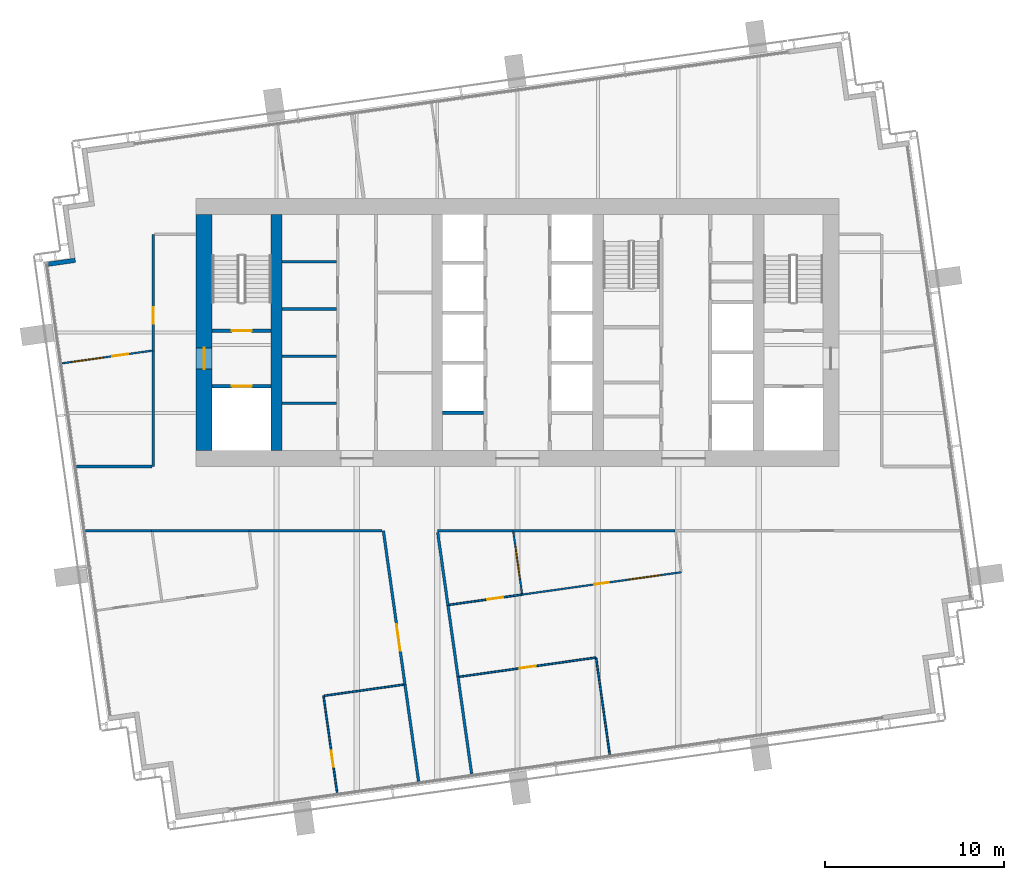
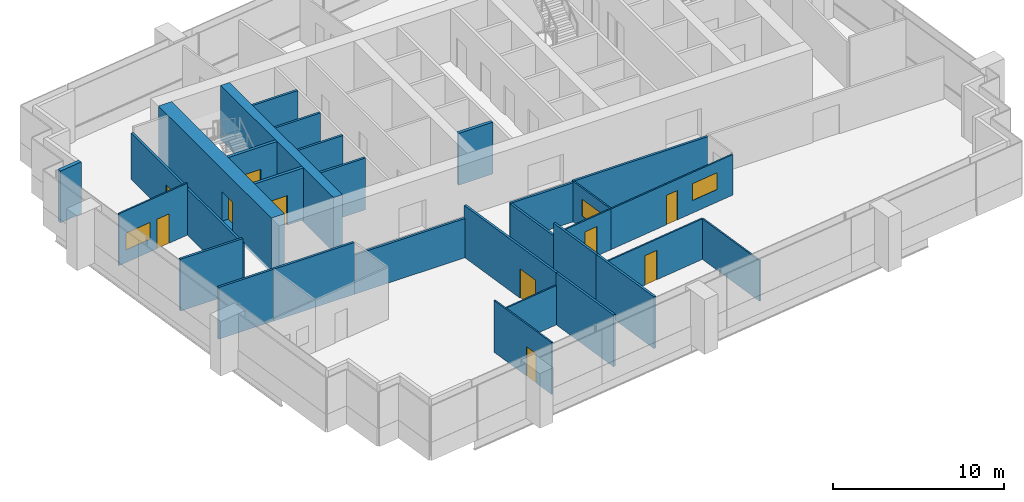
# One storey, part 8 of 15: 31 walls, 10 doors, 3 windows, 13 openings.
"""IFC4 building model written with IfcOpenShell, lengths in metres."""

from ifc_helpers import new_model, si_unit, direction, frame, frame_2d, origin, place, context, subcontext, project, spatial, rectangle, extrude, material, layer, layer_set, type_object, element, fill, save


model = new_model("IFC4")

# Units and contexts
model_context = context("Model", 3, precision=1e-05, world=origin(), true_north=direction((0.0, 1.0)))
body_context = subcontext(model_context, "Body", "Model", "MODEL_VIEW")
ifc_project = project(units=[si_unit("LENGTHUNIT", "METRE"), si_unit("AREAUNIT", "SQUARE_METRE"), si_unit("VOLUMEUNIT", "CUBIC_METRE"), si_unit("PLANEANGLEUNIT", "RADIAN"), si_unit("MASSUNIT", "GRAM", prefix="KILO")], contexts=[model_context])

# Site, building, storey
site_placement = place(None, origin())
site = spatial("IfcSite", under=ifc_project, at=site_placement, CompositionType="ELEMENT")
building_placement = place(site_placement, origin())
building = spatial("IfcBuilding", under=site, at=building_placement, Name="Rattan Terrace Tower", CompositionType="ELEMENT")
storey_placement = place(building_placement, frame((0.0, 0.0, 262.89990234375)))
storey = spatial("IfcBuildingStorey", under=building, at=storey_placement, Name="L60", CompositionType="ELEMENT", Elevation=262.89990234375)

# Walls
ifc_material_1 = material(Name="Gypsum board partition")
ifc_layer_1 = layer(ifc_material_1, 0.14990234375)
ifc_layer_set_1 = layer_set([ifc_layer_1], Name="Core partition 150")
wall_type_1 = type_object("IfcWallType", Name="Core partition 150", PredefinedType="PARTITIONING", material=ifc_layer_set_1)
for number, where, z_axis, x_axis, name in (
    (1, (-13.199951171875, -3.9599609375, 0.0), (0.0, 0.0, 1.0), (1.0, 0.0, 0.0), "Core room wall"),
    (2, (-13.199951171875, -1.320068359375, 0.0), (0.0, 0.0, 1.0), (1.0, 0.0, 0.0), "Core room wall"),
    (3, (-13.199951171875, 1.320068359375, 0.0), (0.0, 0.0, 1.0), (1.0, 0.0, 0.0), "Core room wall"),
    (4, (-13.199951171875, 3.9599609375, 0.0), (0.0, 0.0, 1.0), (1.0, 0.0, 0.0), "Core room wall"),
):
    element("IfcWall", number, at=place(storey_placement, frame(where, z_axis=z_axis, x_axis=x_axis)), inside=storey, type_object=wall_type_1, Name=name, PredefinedType="PARTITIONING", context=body_context, shape_type="SweptSolid", body=[
        extrude(rectangle(XDim=3.050048828125, YDim=0.14990234375, at=frame_2d((1.52490234375, 0.0))), origin(), (0.0, 0.0, 1.0), 3.7001953125),
    ])

# Wall, opening, door
ifc_material_2 = material(Name="Gypsum board partition")
ifc_layer_2 = layer(ifc_material_2, 0.199951171875)
ifc_layer_set_2 = layer_set([ifc_layer_2], Name="Core partition 200")
wall_type_2 = type_object("IfcWallType", Name="Core partition 200", PredefinedType="PARTITIONING", material=ifc_layer_set_2)
wall_1_placement = place(storey_placement, frame((-17.10009765625, -3.0, 0.0), z_axis=(0.0, 0.0, 1.0), x_axis=(1.0, 0.0, 0.0)))
wall_1 = element("IfcWall", 5, at=wall_1_placement, inside=storey, type_object=wall_type_2, Name="Fire-fighting lobby wall", PredefinedType="PARTITIONING", context=body_context, shape_type="SweptSolid", body=[
    extrude(rectangle(XDim=3.300048828125, YDim=0.199951171875, at=frame_2d((1.64990234375, 0.0))), origin(), (0.0, 0.0, 1.0), 3.7001953125),
])
opening_1_placement = place(wall_1_placement, frame((1.10009765625, 0.0, 0.0)))
opening_1 = element("IfcOpeningElement", 6, at=opening_1_placement, cuts=wall_1, Name="Opening L60-LD-FF1", PredefinedType="OPENING", context=body_context, shape_type="SweptSolid", body=[
    extrude(rectangle(XDim=1.10009765625, YDim=2.10009765625, at=frame_2d((0.550048828125, 1.050048828125))), frame((0.0, 0.110595703125, 0.0), z_axis=(0.0, -1.0, 0.0), x_axis=(1.0, 0.0, 0.0)), (0.0, 0.0, 1.0), 0.220947265625),
])
ifc_material_3 = material(Name="Brushed stainless landing door panel")
door_type_1 = type_object("IfcDoorType", Name="Core lift landing door 1100", OperationType="DOUBLE_DOOR_SLIDING", PredefinedType="DOOR", material=ifc_material_3)
door_1_placement = place(opening_1_placement, origin())
door_1 = element("IfcDoor", 7, at=door_1_placement, inside=storey, type_object=door_type_1, Name="Door L60-LD-FF1", OperationType="DOUBLE_DOOR_SLIDING", OverallHeight=2.10009765625, OverallWidth=1.10009765625, PredefinedType="DOOR", context=body_context, shape_type="SweptSolid", body=[
    extrude(rectangle(XDim=1.10009765625, YDim=2.10009765625, at=frame_2d((0.550048828125, 1.050048828125))), frame((0.0, 0.02490234375, 0.0), z_axis=(0.0, -1.0, 0.0), x_axis=(1.0, 0.0, 0.0)), (0.0, 0.0, 1.0), 0.050048828125),
])
fill(opening_1, door_1)

wall_2_placement = place(storey_placement, frame((-17.10009765625, 0.10009765625, 0.0), z_axis=(0.0, 0.0, 1.0), x_axis=(1.0, 0.0, 0.0)))
wall_2 = element("IfcWall", 8, at=wall_2_placement, inside=storey, type_object=wall_type_2, Name="Stair enclosure wall", PredefinedType="PARTITIONING", context=body_context, shape_type="SweptSolid", body=[
    extrude(rectangle(XDim=3.300048828125, YDim=0.199951171875, at=frame_2d((1.64990234375, 0.0))), origin(), (0.0, 0.0, 1.0), 3.7001953125),
])
opening_2_placement = place(wall_2_placement, frame((1.10009765625, 0.0, 0.0)))
opening_2 = element("IfcOpeningElement", 9, at=opening_2_placement, cuts=wall_2, Name="Opening L60-D002", PredefinedType="OPENING", context=body_context, shape_type="SweptSolid", body=[
    extrude(rectangle(XDim=1.10009765625, YDim=2.10009765625, at=frame_2d((0.550048828125, 1.050048828125))), frame((0.0, 0.110595703125, 0.0), z_axis=(0.0, -1.0, 0.0), x_axis=(1.0, 0.0, 0.0)), (0.0, 0.0, 1.0), 0.220947265625),
])
ifc_material_4 = material(Name="Hollow-metal fire door leaf")
door_type_2 = type_object("IfcDoorType", Name="Core stair door 1100", OperationType="NOTDEFINED", PredefinedType="DOOR", material=ifc_material_4)
door_2_placement = place(opening_2_placement, origin())
door_2 = element("IfcDoor", 10, at=door_2_placement, inside=storey, type_object=door_type_2, Name="Door L60-D002", OperationType="SINGLE_SWING_RIGHT", OverallHeight=2.10009765625, OverallWidth=1.10009765625, PredefinedType="DOOR", context=body_context, shape_type="SweptSolid", body=[
    extrude(rectangle(XDim=1.10009765625, YDim=2.10009765625, at=frame_2d((0.550048828125, 1.050048828125))), frame((0.0, 0.02490234375, 0.0), z_axis=(0.0, -1.0, 0.0), x_axis=(1.0, 0.0, 0.0)), (0.0, 0.0, 1.0), 0.050048828125),
])
fill(opening_2, door_2)

ifc_material_5 = material(Name="Concrete C50/60", Category="concrete")
ifc_layer_3 = layer(ifc_material_5, 0.89990234375)
ifc_layer_set_3 = layer_set([ifc_layer_3], Name="Core ring wall 900 C50/60")
wall_type_3 = type_object("IfcWallType", Name="Core ring wall 900 C50/60", PredefinedType="SHEAR", material=ifc_layer_set_3)
wall_3_placement = place(storey_placement, frame((-17.550048828125, -6.60009765625, -0.199951171875), z_axis=(0.0, 0.0, 1.0), x_axis=(0.0, 1.0, 0.0)))
wall_3 = element("IfcWall", 11, at=wall_3_placement, inside=storey, type_object=wall_type_3, Name="Rear core wall west", PredefinedType="SHEAR", context=body_context, shape_type="SweptSolid", body=[
    extrude(rectangle(XDim=13.2001953125, YDim=0.89990234375, at=frame_2d((6.60009765625, 0.0))), origin(), (0.0, 0.0, 1.0), 3.900146484375),
])
opening_3_placement = place(wall_3_placement, frame((4.550048828125, 0.0, 0.199951171875)))
opening_3 = element("IfcOpeningElement", 12, at=opening_3_placement, cuts=wall_3, Name="Opening L60-D001", PredefinedType="OPENING", context=body_context, shape_type="SweptSolid", body=[
    extrude(rectangle(XDim=1.199951171875, YDim=2.10009765625, at=frame_2d((0.60009765625, 1.050048828125))), frame((0.0, 0.46044921875, 0.0), z_axis=(0.0, -1.0, 0.0), x_axis=(1.0, 0.0, 0.0)), (0.0, 0.0, 1.0), 0.9208984375),
])
ifc_material_6 = material(Name="Hollow-metal fire door leaf")
door_type_3 = type_object("IfcDoorType", Name="Core fire-fighting lobby door 1200", OperationType="NOTDEFINED", PredefinedType="DOOR", material=ifc_material_6)
door_3_placement = place(opening_3_placement, origin())
door_3 = element("IfcDoor", 13, at=door_3_placement, inside=storey, type_object=door_type_3, Name="Door L60-D001", OperationType="SINGLE_SWING_LEFT", OverallHeight=2.10009765625, OverallWidth=1.199951171875, PredefinedType="DOOR", context=body_context, shape_type="SweptSolid", body=[
    extrude(rectangle(XDim=1.199951171875, YDim=2.10009765625, at=frame_2d((0.60009765625, 1.050048828125))), frame((0.0, 0.02490234375, 0.0), z_axis=(0.0, -1.0, 0.0), x_axis=(1.0, 0.0, 0.0)), (0.0, 0.0, 1.0), 0.050048828125),
])
fill(opening_3, door_3)

# Walls
ifc_material_7 = material(Name="Concrete C50/60", Category="concrete")
ifc_layer_4 = layer(ifc_material_7, 0.60009765625)
ifc_layer_set_4 = layer_set([ifc_layer_4], Name="Core spine wall 600 C50/60")
wall_type_4 = type_object("IfcWallType", Name="Core spine wall 600 C50/60", PredefinedType="SHEAR", material=ifc_layer_set_4)
wall_4_placement = place(storey_placement, frame((-13.5, -6.60009765625, -0.199951171875), z_axis=(0.0, 0.0, 1.0), x_axis=(0.0, 1.0, 0.0)))
element("IfcWall", 14, at=wall_4_placement, inside=storey, type_object=wall_type_4, Name="Core spine wall 1", PredefinedType="SHEAR", context=body_context, shape_type="SweptSolid", body=[
    extrude(rectangle(XDim=13.2001953125, YDim=0.60009765625, at=frame_2d((6.60009765625, 0.0))), origin(), (0.0, 0.0, 1.0), 3.900146484375),
])
ifc_material_8 = material(Name="Insulated aluminium-clad stud wall", Category="aluminium")
ifc_layer_5 = layer(ifc_material_8, 0.25)
ifc_layer_set_5 = layer_set([ifc_layer_5], Name="Facade Riser Wall 250")
wall_type_5 = type_object("IfcWallType", Name="Facade Riser Wall 250", PredefinedType="SOLIDWALL", material=ifc_layer_set_5)
wall_5_placement = place(storey_placement, frame((-24.769287109375, 4.045654296875, 0.0), z_axis=(0.0, 0.0, 1.0), x_axis=(-0.990260716096, -0.139225407725, 0.0)))
element("IfcWall", 15, at=wall_5_placement, inside=storey, type_object=wall_type_5, Name="Riser wall L60-15", PredefinedType="SOLIDWALL", context=body_context, shape_type="SweptSolid", body=[
    extrude(rectangle(XDim=1.525634765625, YDim=0.25, at=frame_2d((0.7626953125, 0.0))), origin(), (0.0, 0.0, 1.0), 3.7001953125),
])

# Wall, opening, door
ifc_material_9 = material(Name="Gypsum board partition on steel studs", Category="steel")
ifc_layer_6 = layer(ifc_material_9, 0.10009765625)
ifc_layer_set_6 = layer_set([ifc_layer_6], Name="Floors Partition 100")
wall_type_6 = type_object("IfcWallType", Name="Floors Partition 100", PredefinedType="PARTITIONING", material=ifc_layer_set_6)
wall_6_placement = place(storey_placement, frame((-10.868896484375, -20.346923828125, 0.0), z_axis=(0.0, 0.0, 1.0), x_axis=(0.139213194633, -0.990262433116, 0.0)))
wall_6 = element("IfcWall", 16, at=wall_6_placement, inside=storey, type_object=wall_type_6, Name="pt-L60-020", PredefinedType="PARTITIONING", context=body_context, shape_type="SweptSolid", body=[
    extrude(rectangle(XDim=5.48046875, YDim=0.10009765625, at=frame_2d((2.740234375, 0.0))), origin(), (0.0, 0.0, 1.0), 3.7001953125),
])
opening_4_placement = place(wall_6_placement, frame((3.10595703125, 0.0, 0.0)))
opening_4 = element("IfcOpeningElement", 17, at=opening_4_placement, cuts=wall_6, Name="Opening L60-D101", PredefinedType="OPENING", context=body_context, shape_type="SweptSolid", body=[
    extrude(rectangle(XDim=0.89990234375, YDim=2.10009765625, at=frame_2d((0.449951171875, 1.050048828125))), frame((0.0, 0.060546875, 0.0), z_axis=(0.0, -1.0, 0.0), x_axis=(1.0, 0.0, 0.0)), (0.0, 0.0, 1.0), 0.12109375),
])
ifc_material_10 = material(Name="Solid core timber door, painted", Category="wood")
door_type_4 = type_object("IfcDoorType", Name="Floors Door 900x2100", OperationType="NOTDEFINED", PredefinedType="DOOR", material=ifc_material_10)
door_4_placement = place(opening_4_placement, origin())
door_4 = element("IfcDoor", 18, at=door_4_placement, inside=storey, type_object=door_type_4, Name="d-L60-101", OperationType="SINGLE_SWING_RIGHT", OverallHeight=2.10009765625, OverallWidth=0.89990234375, PredefinedType="DOOR", context=body_context, shape_type="SweptSolid", body=[
    extrude(rectangle(XDim=0.89990234375, YDim=2.10009765625, at=frame_2d((0.449951171875, 1.050048828125))), frame((0.0, 0.02490234375, 0.0), z_axis=(0.0, -1.0, 0.0), x_axis=(1.0, 0.0, 0.0)), (0.0, 0.0, 1.0), 0.050048828125),
])
fill(opening_4, door_4)

# Wall
wall_7_placement = place(storey_placement, frame((-6.3798828125, -19.716064453125, 0.0), z_axis=(0.0, 0.0, 1.0), x_axis=(-0.990263970159, -0.139202260778, 0.0)))
element("IfcWall", 19, at=wall_7_placement, inside=storey, type_object=wall_type_6, Name="pt-L60-021", PredefinedType="PARTITIONING", context=body_context, shape_type="SweptSolid", body=[
    extrude(rectangle(XDim=4.48291015625, YDim=0.10009765625, at=frame_2d((2.241455078125, 0.0))), origin(), (0.0, 0.0, 1.0), 2.800048828125),
])

# Wall, opening, door
wall_8_placement = place(storey_placement, frame((4.39794921875, -18.201904296875, 0.0), z_axis=(0.0, 0.0, 1.0), x_axis=(-0.990252156894, -0.139286272714, 0.0)))
wall_8 = element("IfcWall", 20, at=wall_8_placement, inside=storey, type_object=wall_type_6, Name="pt-L60-026", PredefinedType="PARTITIONING", context=body_context, shape_type="SweptSolid", body=[
    extrude(rectangle(XDim=7.7333984375, YDim=0.10009765625, at=frame_2d((3.86669921875, 0.0))), origin(), (0.0, 0.0, 1.0), 2.900146484375),
])
opening_5_placement = place(wall_8_placement, frame((3.4169921875, 0.0, 0.0)))
opening_5 = element("IfcOpeningElement", 21, at=opening_5_placement, cuts=wall_8, Name="Opening L60-D105", PredefinedType="OPENING", context=body_context, shape_type="SweptSolid", body=[
    extrude(rectangle(XDim=0.89990234375, YDim=2.10009765625, at=frame_2d((0.449951171875, 1.050048828125))), frame((0.0, 0.060546875, 0.0), z_axis=(0.0, -1.0, 0.0), x_axis=(1.0, 0.0, 0.0)), (0.0, 0.0, 1.0), 0.12109375),
])
door_5_placement = place(opening_5_placement, origin())
door_5 = element("IfcDoor", 22, at=door_5_placement, inside=storey, type_object=door_type_4, Name="d-L60-105", OperationType="SINGLE_SWING_RIGHT", OverallHeight=2.10009765625, OverallWidth=0.89990234375, PredefinedType="DOOR", context=body_context, shape_type="SweptSolid", body=[
    extrude(rectangle(XDim=0.89990234375, YDim=2.10009765625, at=frame_2d((0.449951171875, 1.050048828125))), frame((0.0, 0.02490234375, 0.0), z_axis=(0.0, -1.0, 0.0), x_axis=(1.0, 0.0, 0.0)), (0.0, 0.0, 1.0), 0.050048828125),
])
fill(opening_5, door_5)

# Wall
wall_9_placement = place(storey_placement, frame((5.160888671875, -23.6279296875, 0.0), z_axis=(0.0, 0.0, 1.0), x_axis=(-0.139205228836, 0.990263552932, 0.0)))
element("IfcWall", 23, at=wall_9_placement, inside=storey, type_object=wall_type_6, Name="pt-L60-027", PredefinedType="PARTITIONING", context=body_context, shape_type="SweptSolid", body=[
    extrude(rectangle(XDim=5.429931640625, YDim=0.10009765625, at=frame_2d((2.71484375, 0.0))), origin(), (0.0, 0.0, 1.0), 2.900146484375),
])

# Wall, opening, door
wall_10_placement = place(storey_placement, frame((-3.825927734375, -15.248046875, 0.0), z_axis=(0.0, 0.0, 1.0), x_axis=(0.990304461309, 0.138913908276, 0.0)))
wall_10 = element("IfcWall", 24, at=wall_10_placement, inside=storey, type_object=wall_type_6, Name="pt-L60-028", PredefinedType="PARTITIONING", context=body_context, shape_type="SweptSolid", body=[
    extrude(rectangle(XDim=4.103759765625, YDim=0.10009765625, at=frame_2d((2.0517578125, 0.0))), origin(), (0.0, 0.0, 1.0), 2.900146484375),
])
opening_6_placement = place(wall_10_placement, frame((2.14306640625, 0.0, 0.0)))
opening_6 = element("IfcOpeningElement", 25, at=opening_6_placement, cuts=wall_10, Name="Opening L60-D106", PredefinedType="OPENING", context=body_context, shape_type="SweptSolid", body=[
    extrude(rectangle(XDim=0.89990234375, YDim=2.10009765625, at=frame_2d((0.449951171875, 1.050048828125))), frame((0.0, 0.060546875, 0.0), z_axis=(0.0, -1.0, 0.0), x_axis=(1.0, 0.0, 0.0)), (0.0, 0.0, 1.0), 0.12109375),
])
door_6_placement = place(opening_6_placement, origin())
door_6 = element("IfcDoor", 26, at=door_6_placement, inside=storey, type_object=door_type_4, Name="d-L60-106", OperationType="SINGLE_SWING_RIGHT", OverallHeight=2.10009765625, OverallWidth=0.89990234375, PredefinedType="DOOR", context=body_context, shape_type="SweptSolid", body=[
    extrude(rectangle(XDim=0.89990234375, YDim=2.10009765625, at=frame_2d((0.449951171875, 1.050048828125))), frame((0.0, 0.02490234375, 0.0), z_axis=(0.0, -1.0, 0.0), x_axis=(1.0, 0.0, 0.0)), (0.0, 0.0, 1.0), 0.050048828125),
])
fill(opening_6, door_6)

# Wall, openings, door, window
wall_11_placement = place(storey_placement, frame((0.238037109375, -14.677978515625, 0.0), z_axis=(0.0, 0.0, 1.0), x_axis=(0.990261534953, 0.139219583367, 0.0)))
wall_11 = element("IfcWall", 27, at=wall_11_placement, inside=storey, type_object=wall_type_6, Name="pt-L60-029", PredefinedType="PARTITIONING", context=body_context, shape_type="SweptSolid", body=[
    extrude(rectangle(XDim=9.020751953125, YDim=0.10009765625, at=frame_2d((4.51025390625, 0.0))), origin(), (0.0, 0.0, 1.0), 2.900146484375),
])
opening_7_placement = place(wall_11_placement, frame((4.110107421875, 0.0, 0.0)))
opening_7 = element("IfcOpeningElement", 28, at=opening_7_placement, cuts=wall_11, Name="Opening L60-D107", PredefinedType="OPENING", context=body_context, shape_type="SweptSolid", body=[
    extrude(rectangle(XDim=0.800048828125, YDim=2.10009765625, at=frame_2d((0.39990234375, 1.050048828125))), frame((0.0, 0.060546875, 0.0), z_axis=(0.0, -1.0, 0.0), x_axis=(1.0, 0.0, 0.0)), (0.0, 0.0, 1.0), 0.12109375),
])
opening_8_placement = place(wall_11_placement, frame((6.041015625, 0.0, 0.89990234375)))
opening_8 = element("IfcOpeningElement", 29, at=opening_8_placement, cuts=wall_11, Name="Opening L60-W101", PredefinedType="OPENING", context=body_context, shape_type="SweptSolid", body=[
    extrude(rectangle(XDim=1.800048828125, YDim=1.199951171875, at=frame_2d((0.89990234375, 0.60009765625))), frame((0.0, 0.060546875, 0.0), z_axis=(0.0, -1.0, 0.0), x_axis=(1.0, 0.0, 0.0)), (0.0, 0.0, 1.0), 0.12109375),
])
ifc_material_11 = material(Name="Solid core timber door, painted", Category="wood")
door_type_5 = type_object("IfcDoorType", Name="Floors Store Door 800x2100", OperationType="NOTDEFINED", PredefinedType="DOOR", material=ifc_material_11)
door_7_placement = place(opening_7_placement, origin())
door_7 = element("IfcDoor", 30, at=door_7_placement, inside=storey, type_object=door_type_5, Name="d-L60-107", OperationType="SINGLE_SWING_RIGHT", OverallHeight=2.10009765625, OverallWidth=0.800048828125, PredefinedType="DOOR", context=body_context, shape_type="SweptSolid", body=[
    extrude(rectangle(XDim=0.800048828125, YDim=2.10009765625, at=frame_2d((0.39990234375, 1.050048828125))), frame((0.0, 0.02490234375, 0.0), z_axis=(0.0, -1.0, 0.0), x_axis=(1.0, 0.0, 0.0)), (0.0, 0.0, 1.0), 0.050048828125),
])
fill(opening_7, door_7)
ifc_material_12 = material(Name="Glass, clear, fixed in aluminium frame", Category="aluminium")
window_type = type_object("IfcWindowType", Name="Interior Vision Window 1800x1200", PartitioningType="SINGLE_PANEL", PredefinedType="WINDOW", material=ifc_material_12)
window_1_placement = place(opening_8_placement, origin())
window_1 = element("IfcWindow", 31, at=window_1_placement, inside=storey, type_object=window_type, Name="w-L60-101", OverallHeight=1.199951171875, OverallWidth=1.800048828125, PartitioningType="SINGLE_PANEL", PredefinedType="WINDOW", context=body_context, shape_type="SweptSolid", body=[
    extrude(rectangle(XDim=1.800048828125, YDim=1.199951171875, at=frame_2d((0.89990234375, 0.60009765625))), frame((0.0, 0.030029296875, 0.0), z_axis=(0.0, -1.0, 0.0), x_axis=(1.0, 0.0, 0.0)), (0.0, 0.0, 1.0), 0.06005859375),
])
fill(opening_8, window_1)

# Wall, opening, window
wall_12_placement = place(storey_placement, frame((-0.23388671875, -11.16796875, 0.0), z_axis=(0.0, 0.0, 1.0), x_axis=(0.138894773338, -0.990307145253, 0.0)))
wall_12 = element("IfcWall", 32, at=wall_12_placement, inside=storey, type_object=wall_type_6, Name="pt-L60-031", PredefinedType="PARTITIONING", context=body_context, shape_type="SweptSolid", body=[
    extrude(rectangle(XDim=3.490966796875, YDim=0.10009765625, at=frame_2d((1.74560546875, 0.0))), origin(), (0.0, 0.0, 1.0), 2.900146484375),
])
opening_9_placement = place(wall_12_placement, frame((0.85400390625, 0.0, 0.89990234375)))
opening_9 = element("IfcOpeningElement", 33, at=opening_9_placement, cuts=wall_12, Name="Opening L60-W103", PredefinedType="OPENING", context=body_context, shape_type="SweptSolid", body=[
    extrude(rectangle(XDim=1.800048828125, YDim=1.199951171875, at=frame_2d((0.89990234375, 0.60009765625))), frame((0.0, 0.060546875, 0.0), z_axis=(0.0, -1.0, 0.0), x_axis=(1.0, 0.0, 0.0)), (0.0, 0.0, 1.0), 0.12109375),
])
window_2_placement = place(opening_9_placement, origin())
window_2 = element("IfcWindow", 34, at=window_2_placement, inside=storey, type_object=window_type, Name="w-L60-103", OverallHeight=1.199951171875, OverallWidth=1.800048828125, PartitioningType="SINGLE_PANEL", PredefinedType="WINDOW", context=body_context, shape_type="SweptSolid", body=[
    extrude(rectangle(XDim=1.800048828125, YDim=1.199951171875, at=frame_2d((0.89990234375, 0.60009765625))), frame((0.0, 0.030029296875, 0.0), z_axis=(0.0, -1.0, 0.0), x_axis=(1.0, 0.0, 0.0)), (0.0, 0.0, 1.0), 0.06005859375),
])
fill(opening_9, window_2)

# Wall, openings, door, window
wall_13_placement = place(storey_placement, frame((-20.468017578125, -1.013916015625, 0.0), z_axis=(0.0, 0.0, 1.0), x_axis=(-0.990280538481, -0.139084345292, 0.0)))
wall_13 = element("IfcWall", 35, at=wall_13_placement, inside=storey, type_object=wall_type_6, Name="pt-L60-032", PredefinedType="PARTITIONING", context=body_context, shape_type="SweptSolid", body=[
    extrude(rectangle(XDim=5.090576171875, YDim=0.10009765625, at=frame_2d((2.54541015625, 0.0))), origin(), (0.0, 0.0, 1.0), 3.7001953125),
])
opening_10_placement = place(wall_13_placement, frame((1.35693359375, 0.0, 0.0)))
opening_10 = element("IfcOpeningElement", 36, at=opening_10_placement, cuts=wall_13, Name="Opening L60-D109", PredefinedType="OPENING", context=body_context, shape_type="SweptSolid", body=[
    extrude(rectangle(XDim=0.89990234375, YDim=2.10009765625, at=frame_2d((0.449951171875, 1.050048828125))), frame((0.0, 0.060546875, 0.0), z_axis=(0.0, -1.0, 0.0), x_axis=(1.0, 0.0, 0.0)), (0.0, 0.0, 1.0), 0.12109375),
])
opening_11_placement = place(wall_13_placement, frame((2.77392578125, 0.0, 0.89990234375)))
opening_11 = element("IfcOpeningElement", 37, at=opening_11_placement, cuts=wall_13, Name="Opening L60-W104", PredefinedType="OPENING", context=body_context, shape_type="SweptSolid", body=[
    extrude(rectangle(XDim=1.800048828125, YDim=1.199951171875, at=frame_2d((0.89990234375, 0.60009765625))), frame((0.0, 0.060546875, 0.0), z_axis=(0.0, -1.0, 0.0), x_axis=(1.0, 0.0, 0.0)), (0.0, 0.0, 1.0), 0.12109375),
])
door_8_placement = place(opening_10_placement, origin())
door_8 = element("IfcDoor", 38, at=door_8_placement, inside=storey, type_object=door_type_4, Name="d-L60-109", OperationType="SINGLE_SWING_LEFT", OverallHeight=2.10009765625, OverallWidth=0.89990234375, PredefinedType="DOOR", context=body_context, shape_type="SweptSolid", body=[
    extrude(rectangle(XDim=0.89990234375, YDim=2.10009765625, at=frame_2d((0.449951171875, 1.050048828125))), frame((0.0, 0.02490234375, 0.0), z_axis=(0.0, -1.0, 0.0), x_axis=(1.0, 0.0, 0.0)), (0.0, 0.0, 1.0), 0.050048828125),
])
fill(opening_10, door_8)
window_3_placement = place(opening_11_placement, origin())
window_3 = element("IfcWindow", 39, at=window_3_placement, inside=storey, type_object=window_type, Name="w-L60-104", OverallHeight=1.199951171875, OverallWidth=1.800048828125, PartitioningType="SINGLE_PANEL", PredefinedType="WINDOW", context=body_context, shape_type="SweptSolid", body=[
    extrude(rectangle(XDim=1.800048828125, YDim=1.199951171875, at=frame_2d((0.89990234375, 0.60009765625))), frame((0.0, 0.030029296875, 0.0), z_axis=(0.0, -1.0, 0.0), x_axis=(1.0, 0.0, 0.0)), (0.0, 0.0, 1.0), 0.06005859375),
])
fill(opening_11, window_3)

# Wall
ifc_material_13 = material(Name="Gypsum board partition on steel studs, fire rated", Category="steel")
ifc_layer_7 = layer(ifc_material_13, 0.14990234375)
ifc_layer_set_7 = layer_set([ifc_layer_7], Name="Floors Tenancy Wall 150")
wall_type_7 = type_object("IfcWallType", Name="Floors Tenancy Wall 150", PredefinedType="PARTITIONING", material=ifc_layer_set_7)
wall_14_placement = place(storey_placement, frame((-7.589111328125, -11.10009765625, 0.0), z_axis=(0.0, 0.0, 1.0), x_axis=(-1.0, 0.0, 0.0)))
element("IfcWall", 40, at=wall_14_placement, inside=storey, type_object=wall_type_7, Name="pt-L60-001", PredefinedType="PARTITIONING", context=body_context, shape_type="SweptSolid", body=[
    extrude(rectangle(XDim=7.452880859375, YDim=0.14990234375, at=frame_2d((3.7265625, 0.0))), origin(), (0.0, 0.0, 1.0), 2.800048828125),
])

# Wall, opening, door
wall_15_placement = place(storey_placement, frame((-6.302978515625, -19.72607421875, 0.0), z_axis=(0.0, 0.0, 1.0), x_axis=(-0.139129433731, 0.990274204789, 0.0)))
wall_15 = element("IfcWall", 41, at=wall_15_placement, inside=storey, type_object=wall_type_7, Name="pt-L60-002", PredefinedType="PARTITIONING", context=body_context, shape_type="SweptSolid", body=[
    extrude(rectangle(XDim=8.710693359375, YDim=0.14990234375, at=frame_2d((4.35546875, 0.0))), origin(), (0.0, 0.0, 1.0), 3.7001953125),
])
opening_12_placement = place(wall_15_placement, frame((1.927978515625, 0.0, 0.0)))
opening_12 = element("IfcOpeningElement", 42, at=opening_12_placement, cuts=wall_15, Name="Opening L60-D100", PredefinedType="OPENING", context=body_context, shape_type="SweptSolid", body=[
    extrude(rectangle(XDim=1.5, YDim=2.10009765625, at=frame_2d((0.75, 1.050048828125))), frame((0.0, 0.08544921875, 0.0), z_axis=(0.0, -1.0, 0.0), x_axis=(1.0, 0.0, 0.0)), (0.0, 0.0, 1.0), 0.1708984375),
])
ifc_material_14 = material(Name="Steel fire door set", Category="steel")
door_type_6 = type_object("IfcDoorType", Name="Floors Unit Door Pair FD30S 1500x2100", OperationType="NOTDEFINED", PredefinedType="DOOR", material=ifc_material_14)
door_9_placement = place(opening_12_placement, origin())
door_9 = element("IfcDoor", 43, at=door_9_placement, inside=storey, type_object=door_type_6, Name="d-L60-100", OperationType="DOUBLE_DOOR_SINGLE_SWING", OverallHeight=2.10009765625, OverallWidth=1.5, PredefinedType="DOOR", context=body_context, shape_type="SweptSolid", body=[
    extrude(rectangle(XDim=1.5, YDim=2.10009765625, at=frame_2d((0.75, 1.050048828125))), frame((0.0, 0.02490234375, 0.0), z_axis=(0.0, -1.0, 0.0), x_axis=(1.0, 0.0, 0.0)), (0.0, 0.0, 1.0), 0.050048828125),
])
fill(opening_12, door_9)

# Walls
wall_16_placement = place(storey_placement, frame((-5.54296875, -25.133056640625, 0.0), z_axis=(0.0, 0.0, 1.0), x_axis=(-0.139192487281, 0.990265343978, 0.0)))
element("IfcWall", 44, at=wall_16_placement, inside=storey, type_object=wall_type_7, Name="pt-L60-003", PredefinedType="PARTITIONING", context=body_context, shape_type="SweptSolid", body=[
    extrude(rectangle(XDim=5.460205078125, YDim=0.14990234375, at=frame_2d((2.72998046875, 0.0))), origin(), (0.0, 0.0, 1.0), 3.7001953125),
])
wall_17_placement = place(storey_placement, frame((-20.4951171875, -11.10009765625, 0.0), z_axis=(0.0, 0.0, 1.0), x_axis=(-1.0, 0.0, 0.0)))
element("IfcWall", 45, at=wall_17_placement, inside=storey, type_object=wall_type_7, Name="pt-L60-004", PredefinedType="PARTITIONING", context=body_context, shape_type="SweptSolid", body=[
    extrude(rectangle(XDim=3.69482421875, YDim=0.14990234375, at=frame_2d((1.847412109375, 0.0))), origin(), (0.0, 0.0, 1.0), 3.7001953125),
])
wall_18_placement = place(storey_placement, frame((-15.0419921875, -11.10009765625, 0.0), z_axis=(0.0, 0.0, 1.0), x_axis=(-1.0, 0.0, 0.0)))
element("IfcWall", 46, at=wall_18_placement, inside=storey, type_object=wall_type_7, Name="pt-L60-005", PredefinedType="PARTITIONING", context=body_context, shape_type="SweptSolid", body=[
    extrude(rectangle(XDim=5.453125, YDim=0.14990234375, at=frame_2d((2.7265625, 0.0))), origin(), (0.0, 0.0, 1.0), 3.7001953125),
])
wall_19_placement = place(storey_placement, frame((-3.89794921875, -15.279052734375, 0.0), z_axis=(0.0, 0.0, 1.0), x_axis=(0.139240905476, -0.990258537071, 0.0)))
element("IfcWall", 47, at=wall_19_placement, inside=storey, type_object=wall_type_7, Name="pt-L60-006", PredefinedType="PARTITIONING", context=body_context, shape_type="SweptSolid", body=[
    extrude(rectangle(XDim=4.029296875, YDim=0.14990234375, at=frame_2d((2.0146484375, 0.0))), origin(), (0.0, 0.0, 1.0), 3.7001953125),
])
wall_20_placement = place(storey_placement, frame((-3.3369140625, -19.26904296875, 0.0), z_axis=(0.0, 0.0, 1.0), x_axis=(0.139059647431, -0.990284006968, 0.0)))
element("IfcWall", 48, at=wall_20_placement, inside=storey, type_object=wall_type_7, Name="pt-L60-008", PredefinedType="PARTITIONING", context=body_context, shape_type="SweptSolid", body=[
    extrude(rectangle(XDim=5.50048828125, YDim=0.14990234375, at=frame_2d((2.750244140625, 0.0))), origin(), (0.0, 0.0, 1.0), 3.7001953125),
])
wall_21_placement = place(storey_placement, frame((-4.472900390625, -11.18505859375, 0.0), z_axis=(0.0, 0.0, 1.0), x_axis=(0.1390729581, -0.990282137739, 0.0)))
element("IfcWall", 49, at=wall_21_placement, inside=storey, type_object=wall_type_7, Name="pt-L60-009", PredefinedType="PARTITIONING", context=body_context, shape_type="SweptSolid", body=[
    extrude(rectangle(XDim=4.13427734375, YDim=0.14990234375, at=frame_2d((2.067138671875, 0.0))), origin(), (0.0, 0.0, 1.0), 2.800048828125),
])
wall_22_placement = place(storey_placement, frame((-0.263916015625, -11.10009765625, 0.0), z_axis=(0.0, 0.0, 1.0), x_axis=(-1.0, 0.0, 0.0)))
element("IfcWall", 50, at=wall_22_placement, inside=storey, type_object=wall_type_7, Name="pt-L60-010", PredefinedType="PARTITIONING", context=body_context, shape_type="SweptSolid", body=[
    extrude(rectangle(XDim=4.22119140625, YDim=0.14990234375, at=frame_2d((2.110595703125, 0.0))), origin(), (0.0, 0.0, 1.0), 2.800048828125),
])
wall_23_placement = place(storey_placement, frame((8.823974609375, -11.10009765625, 0.0), z_axis=(0.0, 0.0, 1.0), x_axis=(-1.0, 0.0, 0.0)))
element("IfcWall", 51, at=wall_23_placement, inside=storey, type_object=wall_type_7, Name="pt-L60-011", PredefinedType="PARTITIONING", context=body_context, shape_type="SweptSolid", body=[
    extrude(rectangle(XDim=9.087890625, YDim=0.14990234375, at=frame_2d((4.5439453125, 0.0))), origin(), (0.0, 0.0, 1.0), 2.900146484375),
])

# Wall, opening, door
wall_24_placement = place(storey_placement, frame((-20.39990234375, -1.02392578125, 0.0), z_axis=(0.0, 0.0, 1.0), x_axis=(0.0, 1.0, 0.0)))
wall_24 = element("IfcWall", 52, at=wall_24_placement, inside=storey, type_object=wall_type_7, Name="pt-L60-012", PredefinedType="PARTITIONING", context=body_context, shape_type="SweptSolid", body=[
    extrude(rectangle(XDim=6.52392578125, YDim=0.14990234375, at=frame_2d((3.261962890625, 0.0))), origin(), (0.0, 0.0, 1.0), 3.300048828125),
])
opening_13_placement = place(wall_24_placement, frame((1.531005859375, 0.0, 0.0)))
opening_13 = element("IfcOpeningElement", 53, at=opening_13_placement, cuts=wall_24, Name="Opening L60-D108", PredefinedType="OPENING", context=body_context, shape_type="SweptSolid", body=[
    extrude(rectangle(XDim=0.89990234375, YDim=2.10009765625, at=frame_2d((0.449951171875, 1.050048828125))), frame((0.0, 0.08544921875, 0.0), z_axis=(0.0, -1.0, 0.0), x_axis=(1.0, 0.0, 0.0)), (0.0, 0.0, 1.0), 0.1708984375),
])
ifc_material_15 = material(Name="Steel fire door set", Category="steel")
door_type_7 = type_object("IfcDoorType", Name="Floors Fire Door FD30S 900x2100", OperationType="NOTDEFINED", PredefinedType="DOOR", material=ifc_material_15)
door_10_placement = place(opening_13_placement, origin())
door_10 = element("IfcDoor", 54, at=door_10_placement, inside=storey, type_object=door_type_7, Name="d-L60-108", OperationType="SINGLE_SWING_LEFT", OverallHeight=2.10009765625, OverallWidth=0.89990234375, PredefinedType="DOOR", context=body_context, shape_type="SweptSolid", body=[
    extrude(rectangle(XDim=0.89990234375, YDim=2.10009765625, at=frame_2d((0.449951171875, 1.050048828125))), frame((0.0, 0.02490234375, 0.0), z_axis=(0.0, -1.0, 0.0), x_axis=(1.0, 0.0, 0.0)), (0.0, 0.0, 1.0), 0.050048828125),
])
fill(opening_13, door_10)

# Walls
wall_25_placement = place(storey_placement, frame((-24.696044921875, -7.5, 0.0), z_axis=(0.0, 0.0, 1.0), x_axis=(1.0, 0.0, 0.0)))
element("IfcWall", 55, at=wall_25_placement, inside=storey, type_object=wall_type_7, Name="pt-L60-014", PredefinedType="PARTITIONING", context=body_context, shape_type="SweptSolid", body=[
    extrude(rectangle(XDim=4.220947265625, YDim=0.14990234375, at=frame_2d((2.1103515625, 0.0))), origin(), (0.0, 0.0, 1.0), 3.7001953125),
])
wall_26_placement = place(storey_placement, frame((-20.39990234375, -7.5, 0.0), z_axis=(0.0, 0.0, 1.0), x_axis=(0.0, 1.0, 0.0)))
element("IfcWall", 56, at=wall_26_placement, inside=storey, type_object=wall_type_7, Name="pt-L60-015", PredefinedType="PARTITIONING", context=body_context, shape_type="SweptSolid", body=[
    extrude(rectangle(XDim=6.47607421875, YDim=0.14990234375, at=frame_2d((3.238037109375, 0.0))), origin(), (0.0, 0.0, 1.0), 3.300048828125),
])
ifc_material_16 = material(Name="Gypsum shaft wall system")
ifc_layer_8 = layer(ifc_material_16, 0.199951171875)
ifc_layer_set_8 = layer_set([ifc_layer_8], Name="Lift shaft wall 200")
wall_type_8 = type_object("IfcWallType", Name="Lift shaft wall 200", PredefinedType="PARTITIONING", material=ifc_layer_set_8)
wall_27_placement = place(storey_placement, frame((-4.199951171875, -4.5, 0.0), z_axis=(0.0, 0.0, 1.0), x_axis=(1.0, 0.0, 0.0)))
element("IfcWall", 57, at=wall_27_placement, inside=storey, type_object=wall_type_8, Name="Lift shaft wall", PredefinedType="PARTITIONING", context=body_context, shape_type="SweptSolid", body=[
    extrude(rectangle(XDim=2.300048828125, YDim=0.199951171875, at=frame_2d((1.14990234375, 0.0))), origin(), (0.0, 0.0, 1.0), 3.7001953125),
])

save(model, "model.ifc")
